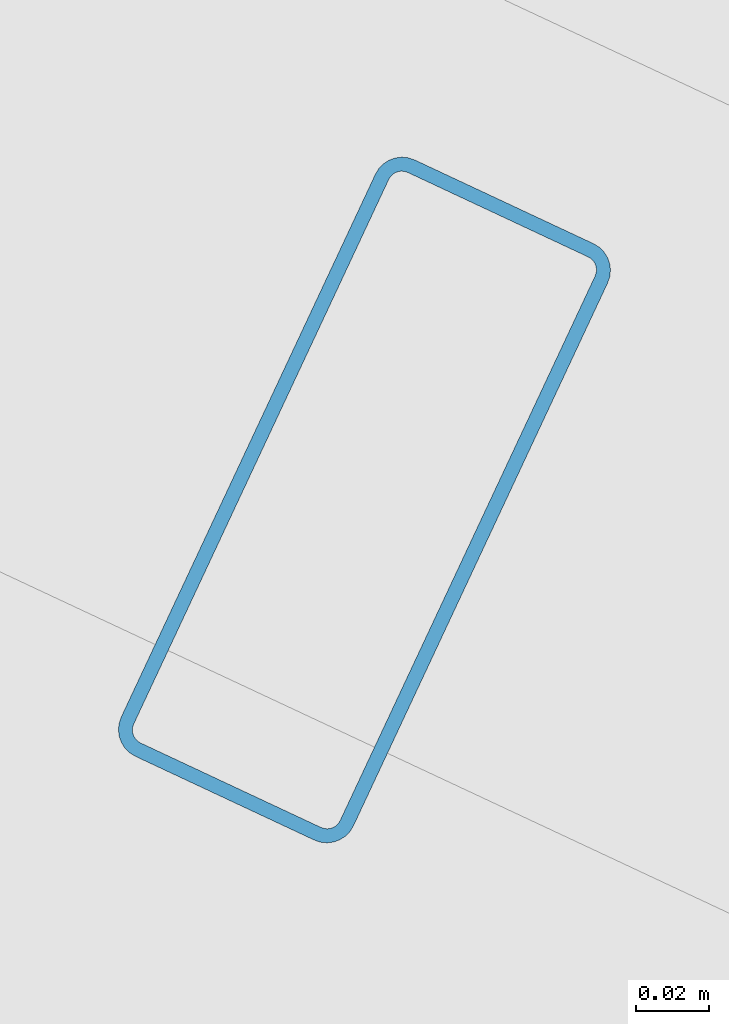
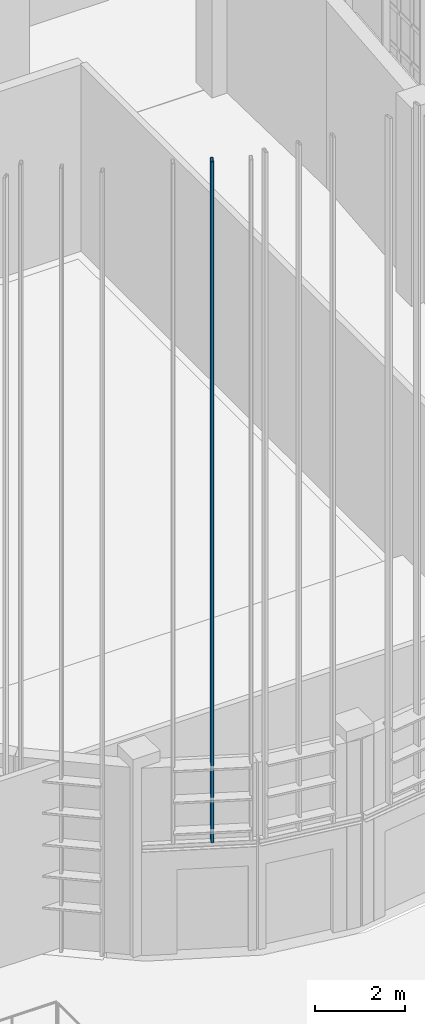
# One storey, part 140 of 372: 1 member.
"""IFC4 building model written with IfcOpenShell, lengths in metres."""

from ifc_helpers import new_model, si_unit, direction, frame, origin, origin_2d, place, context, subcontext, project, spatial, hollow_rectangle, extrude, material, material_profile, profile_set, type_object, element, save


model = new_model("IFC4")

# Units and contexts
model_context = context("Model", 3, precision=1e-05, world=origin(), true_north=direction((0.0, 1.0)))
body_context = subcontext(model_context, "Body", "Model", "MODEL_VIEW")
ifc_project = project(units=[si_unit("LENGTHUNIT", "METRE"), si_unit("AREAUNIT", "SQUARE_METRE"), si_unit("VOLUMEUNIT", "CUBIC_METRE"), si_unit("PLANEANGLEUNIT", "RADIAN"), si_unit("MASSUNIT", "GRAM", prefix="KILO")], contexts=[model_context])

# Site, building, storey
site_placement = place(None, origin())
site = spatial("IfcSite", under=ifc_project, at=site_placement, CompositionType="ELEMENT")
building_placement = place(site_placement, origin())
building = spatial("IfcBuilding", under=site, at=building_placement, Name="Kaelora Sail Theatre", CompositionType="ELEMENT")
storey_placement = place(building_placement, origin())
storey = spatial("IfcBuildingStorey", under=building, at=storey_placement, Name="L00", CompositionType="ELEMENT", Elevation=0.0)

# Member
ifc_material = material(Name="Anodised aluminium 6063-T6", Category="aluminium")
ifc_material_profile = material_profile(ifc_material, hollow_rectangle(XDim=0.070068359375, YDim=0.179931640625, WallThickness=0.00390625, InnerFilletRadius=0.00390625, OuterFilletRadius=0.008056640625, at=origin_2d()), Name="ALU-MULL 70x180x4")
ifc_profile_set = profile_set([ifc_material_profile], Name="Anodised aluminium 6063-T6")
member_type = type_object("IfcMemberType", Name="ARC-MEM-PST-160", PredefinedType="POST", material=ifc_profile_set)
member_placement = place(storey_placement, frame((87.176025390625, 31.81591796875, 3.10009765625), z_axis=(0.0, 0.0, 1.0), x_axis=(-0.905642821984, 0.424041364714, 0.0)))
element("IfcMember", 1, at=member_placement, inside=storey, type_object=member_type, Name="Studio Theatre Sail Drum solar louvre vertical support post C12-2", PredefinedType="POST", context=body_context, shape_type="SweptSolid", body=[
    extrude(hollow_rectangle(XDim=0.070068359375, YDim=0.179931640625, WallThickness=0.00390625, InnerFilletRadius=0.00390625, OuterFilletRadius=0.008056640625, at=origin_2d()), origin(), (0.0, 0.0, 1.0), 18.5537109375),
])

save(model, "model.ifc")
